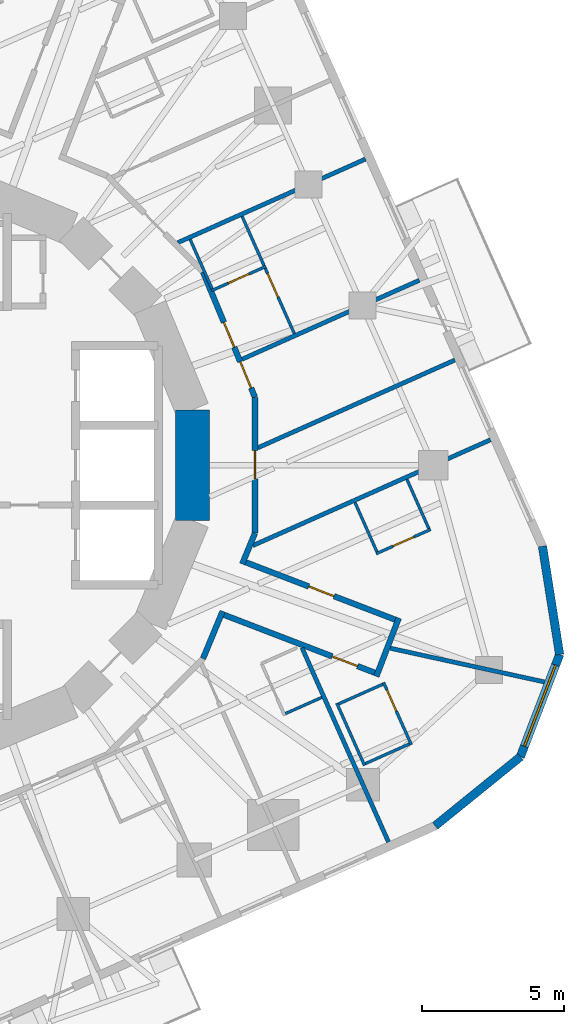
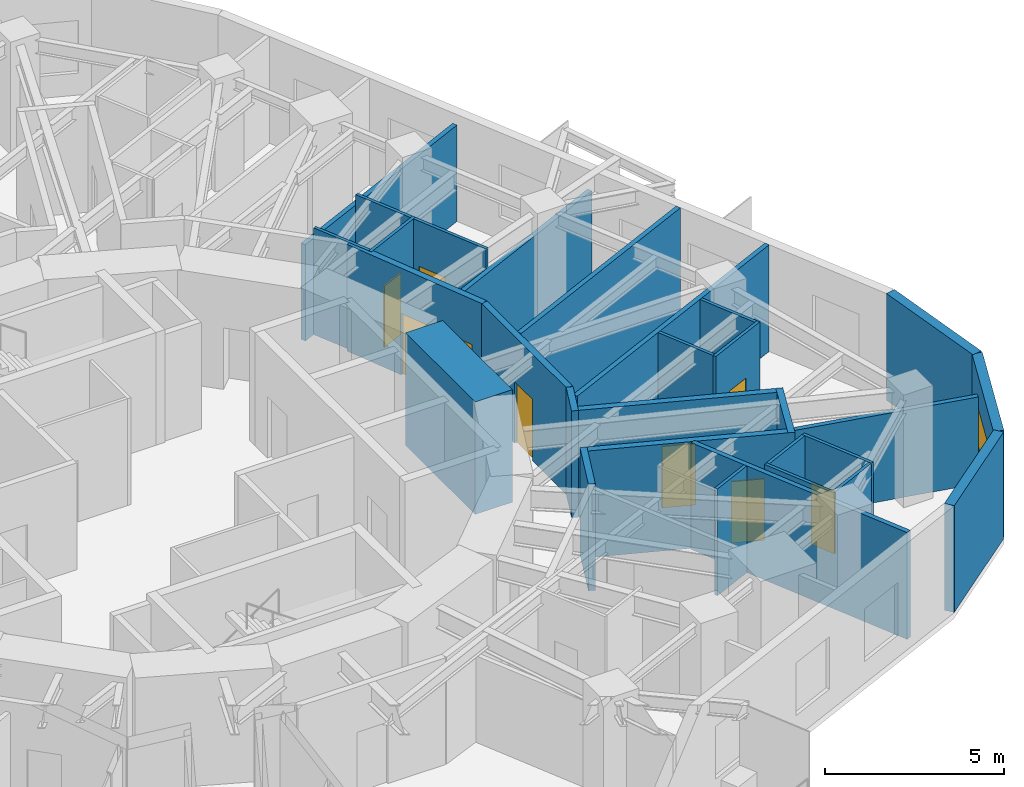
# One storey, part 8 of 12: 29 walls, 9 doors, 1 window, 10 openings.
"""IFC4 building model written with IfcOpenShell, lengths in metres."""

from ifc_helpers import new_model, si_unit, direction, frame, frame_2d, origin, place, context, subcontext, project, spatial, rectangle, extrude, material, layer, layer_set, type_object, element, fill, save


model = new_model("IFC4")

# Units and contexts
model_context = context("Model", 3, precision=1e-05, world=origin(), true_north=direction((0.0, 1.0)))
body_context = subcontext(model_context, "Body", "Model", "MODEL_VIEW")
ifc_project = project(units=[si_unit("LENGTHUNIT", "METRE"), si_unit("AREAUNIT", "SQUARE_METRE"), si_unit("VOLUMEUNIT", "CUBIC_METRE"), si_unit("PLANEANGLEUNIT", "RADIAN"), si_unit("MASSUNIT", "GRAM", prefix="KILO")], contexts=[model_context])

# Site, building, storey
site_placement = place(None, origin())
site = spatial("IfcSite", under=ifc_project, at=site_placement, CompositionType="ELEMENT")
building_placement = place(site_placement, origin())
building = spatial("IfcBuilding", under=site, at=building_placement, Name="Nakasero Lantern House", CompositionType="ELEMENT")
storey_placement = place(building_placement, frame((0.0, 0.0, 201.699951171875)))
storey = spatial("IfcBuildingStorey", under=building, at=storey_placement, Name="L49", CompositionType="ELEMENT", Elevation=201.699951171875)

# Wall
ifc_material_1 = material(Name="Concrete C50/60", Category="concrete")
ifc_layer_1 = layer(ifc_material_1, 1.199951171875)
ifc_layer_set_1 = layer_set([ifc_layer_1], Name="Core wall 1200")
wall_type_1 = type_object("IfcWallType", Name="Core wall 1200", PredefinedType="SHEAR", material=ifc_layer_set_1)
wall_1_placement = place(storey_placement, frame((9.807861328125, -1.950927734375, 0.0), z_axis=(0.0, 0.0, 1.0), x_axis=(0.0, 1.0, 0.0)))
element("IfcWall", 1, at=wall_1_placement, inside=storey, type_object=wall_type_1, Name="Core wall L49 facet 16", PredefinedType="SHEAR", context=body_context, shape_type="SweptSolid", body=[
    extrude(rectangle(XDim=3.90185546875, YDim=1.199951171875, at=frame_2d((1.950927734375, 0.0))), origin(), (0.0, 0.0, 1.0), 3.85009765625),
])

# Wall, opening, door
ifc_material_2 = material(Name="Blockwork", Category="masonry")
ifc_layer_2 = layer(ifc_material_2, 0.199951171875)
ifc_layer_set_2 = layer_set([ifc_layer_2], Name="Corridor wall 200")
wall_type_2 = type_object("IfcWallType", Name="Corridor wall 200", PredefinedType="PARTITIONING", material=ifc_layer_set_2)
wall_2_placement = place(storey_placement, frame((12.0078125, 2.388427734375, 0.0), z_axis=(0.0, 0.0, 1.0), x_axis=(0.0, -1.0, 0.0)))
wall_2 = element("IfcWall", 2, at=wall_2_placement, inside=storey, type_object=wall_type_2, Name="Corridor wall L49 RC00a", PredefinedType="PARTITIONING", context=body_context, shape_type="SweptSolid", body=[
    extrude(rectangle(XDim=4.77685546875, YDim=0.199951171875, at=frame_2d((2.388427734375, 0.0))), origin(), (0.0, 0.0, 1.0), 3.650146484375),
])
opening_1_placement = place(wall_2_placement, frame((1.8701171875, 0.0, 0.0)))
opening_1 = element("IfcOpeningElement", 3, at=opening_1_placement, cuts=wall_2, Name="Opening D03", PredefinedType="OPENING", context=body_context, shape_type="SweptSolid", body=[
    extrude(rectangle(XDim=1.0, YDim=2.10009765625, at=frame_2d((0.5, 1.050048828125))), frame((0.0, 0.119873046875, 0.0), z_axis=(0.0, -1.0, 0.0), x_axis=(1.0, 0.0, 0.0)), (0.0, 0.0, 1.0), 0.239990234375),
])
ifc_material_3 = material(Name="Timber C24", Category="wood")
door_type_1 = type_object("IfcDoorType", Name="Lounge door FD30S 1000", OperationType="SINGLE_SWING_LEFT", PredefinedType="DOOR", material=ifc_material_3)
door_1_placement = place(opening_1_placement, origin())
door_1 = element("IfcDoor", 4, at=door_1_placement, inside=storey, type_object=door_type_1, Name="Door L49 DK0", OperationType="SINGLE_SWING_LEFT", OverallHeight=2.10009765625, OverallWidth=1.0, PredefinedType="DOOR", context=body_context, shape_type="SweptSolid", body=[
    extrude(rectangle(XDim=1.0, YDim=2.10009765625, at=frame_2d((0.5, 1.050048828125))), frame((0.0, 0.02490234375, 0.0), z_axis=(0.0, -1.0, 0.0), x_axis=(1.0, 0.0, 0.0)), (0.0, 0.0, 1.0), 0.050048828125),
])
fill(opening_1, door_1)

# Walls
wall_3_placement = place(storey_placement, frame((12.0078125, -2.388427734375, 0.0), z_axis=(0.0, 0.0, 1.0), x_axis=(-0.382694679749, -0.923874873612, 0.0)))
element("IfcWall", 5, at=wall_3_placement, inside=storey, type_object=wall_type_2, Name="Corridor wall L49 RC01a", PredefinedType="PARTITIONING", context=body_context, shape_type="SweptSolid", body=[
    extrude(rectangle(XDim=1.173828125, YDim=0.199951171875, at=frame_2d((0.5869140625, 0.0))), origin(), (0.0, 0.0, 1.0), 3.650146484375),
])
wall_4_placement = place(storey_placement, frame((10.86962890625, -5.136474609375, 0.0), z_axis=(0.0, 0.0, 1.0), x_axis=(-0.382710605355, -0.923868276622, 0.0)))
element("IfcWall", 6, at=wall_4_placement, inside=storey, type_object=wall_type_2, Name="Corridor wall L49 RC01b", PredefinedType="PARTITIONING", context=body_context, shape_type="SweptSolid", body=[
    extrude(rectangle(XDim=1.802734375, YDim=0.199951171875, at=frame_2d((0.9013671875, 0.0))), origin(), (0.0, 0.0, 1.0), 3.650146484375),
])

# Wall, openings, doors
wall_5_placement = place(storey_placement, frame((10.1796875, 6.802001953125, 0.0), z_axis=(0.0, 0.0, 1.0), x_axis=(0.382676767893, -0.923882292998, 0.0)))
wall_5 = element("IfcWall", 7, at=wall_5_placement, inside=storey, type_object=wall_type_2, Name="Corridor wall L49 RC15a", PredefinedType="PARTITIONING", context=body_context, shape_type="SweptSolid", body=[
    extrude(rectangle(XDim=4.777099609375, YDim=0.199951171875, at=frame_2d((2.388671875, 0.0))), origin(), (0.0, 0.0, 1.0), 3.650146484375),
])
opening_2_placement = place(wall_5_placement, frame((1.919921875, 0.0, 0.0)))
opening_2 = element("IfcOpeningElement", 8, at=opening_2_placement, cuts=wall_5, Name="Opening D01", PredefinedType="OPENING", context=body_context, shape_type="SweptSolid", body=[
    extrude(rectangle(XDim=0.949951171875, YDim=2.10009765625, at=frame_2d((0.47509765625, 1.050048828125))), frame((0.0, 0.119873046875, 0.0), z_axis=(0.0, -1.0, 0.0), x_axis=(1.0, 0.0, 0.0)), (0.0, 0.0, 1.0), 0.239990234375),
])
opening_3_placement = place(wall_5_placement, frame((3.419921875, 0.0, 0.0)))
opening_3 = element("IfcOpeningElement", 9, at=opening_3_placement, cuts=wall_5, Name="Opening D03", PredefinedType="OPENING", context=body_context, shape_type="SweptSolid", body=[
    extrude(rectangle(XDim=1.0, YDim=2.10009765625, at=frame_2d((0.5, 1.050048828125))), frame((0.0, 0.119873046875, 0.0), z_axis=(0.0, -1.0, 0.0), x_axis=(1.0, 0.0, 0.0)), (0.0, 0.0, 1.0), 0.239990234375),
])
ifc_material_4 = material(Name="Timber C24", Category="wood")
door_type_2 = type_object("IfcDoorType", Name="Bedroom door FD30S 950", OperationType="SINGLE_SWING_LEFT", PredefinedType="DOOR", material=ifc_material_4)
door_2_placement = place(opening_2_placement, origin())
door_2 = element("IfcDoor", 10, at=door_2_placement, inside=storey, type_object=door_type_2, Name="Door L49 D0-03", OperationType="SINGLE_SWING_RIGHT", OverallHeight=2.10009765625, OverallWidth=0.949951171875, PredefinedType="DOOR", context=body_context, shape_type="SweptSolid", body=[
    extrude(rectangle(XDim=0.949951171875, YDim=2.10009765625, at=frame_2d((0.47509765625, 1.050048828125))), frame((0.0, 0.02490234375, 0.0), z_axis=(0.0, -1.0, 0.0), x_axis=(1.0, 0.0, 0.0)), (0.0, 0.0, 1.0), 0.050048828125),
])
fill(opening_2, door_2)
door_3_placement = place(opening_3_placement, origin())
door_3 = element("IfcDoor", 11, at=door_3_placement, inside=storey, type_object=door_type_1, Name="Door L49 DK0-1", OperationType="SINGLE_SWING_RIGHT", OverallHeight=2.10009765625, OverallWidth=1.0, PredefinedType="DOOR", context=body_context, shape_type="SweptSolid", body=[
    extrude(rectangle(XDim=1.0, YDim=2.10009765625, at=frame_2d((0.5, 1.050048828125))), frame((0.0, 0.02490234375, 0.0), z_axis=(0.0, -1.0, 0.0), x_axis=(1.0, 0.0, 0.0)), (0.0, 0.0, 1.0), 0.050048828125),
])
fill(opening_3, door_3)

# Wall, opening, door
wall_6_placement = place(storey_placement, frame((10.831298828125, -5.22900390625, 0.0), z_axis=(0.0, 0.0, 1.0), x_axis=(0.933584570174, -0.358357154711, 0.0)))
wall_6 = element("IfcWall", 12, at=wall_6_placement, inside=storey, type_object=wall_type_2, Name="Corridor wall L49 SP3a", PredefinedType="PARTITIONING", context=body_context, shape_type="SweptSolid", body=[
    extrude(rectangle(XDim=5.97216796875, YDim=0.199951171875, at=frame_2d((2.986083984375, 0.0))), origin(), (0.0, 0.0, 1.0), 3.650146484375),
])
opening_4_placement = place(wall_6_placement, frame((4.169921875, 0.0, 0.0)))
opening_4 = element("IfcOpeningElement", 13, at=opening_4_placement, cuts=wall_6, Name="Opening D01", PredefinedType="OPENING", context=body_context, shape_type="SweptSolid", body=[
    extrude(rectangle(XDim=0.949951171875, YDim=2.10009765625, at=frame_2d((0.47509765625, 1.050048828125))), frame((0.0, 0.119873046875, 0.0), z_axis=(0.0, -1.0, 0.0), x_axis=(1.0, 0.0, 0.0)), (0.0, 0.0, 1.0), 0.239990234375),
])
door_4_placement = place(opening_4_placement, origin())
door_4 = element("IfcDoor", 14, at=door_4_placement, inside=storey, type_object=door_type_2, Name="Door L49 D3-06", OperationType="SINGLE_SWING_RIGHT", OverallHeight=2.10009765625, OverallWidth=0.949951171875, PredefinedType="DOOR", context=body_context, shape_type="SweptSolid", body=[
    extrude(rectangle(XDim=0.949951171875, YDim=2.10009765625, at=frame_2d((0.47509765625, 1.050048828125))), frame((0.0, 0.02490234375, 0.0), z_axis=(0.0, -1.0, 0.0), x_axis=(1.0, 0.0, 0.0)), (0.0, 0.0, 1.0), 0.050048828125),
])
fill(opening_4, door_4)

wall_7_placement = place(storey_placement, frame((11.596923828125, -3.380615234375, 0.0), z_axis=(0.0, 0.0, 1.0), x_axis=(0.933582445172, -0.358362690674, 0.0)))
wall_7 = element("IfcWall", 15, at=wall_7_placement, inside=storey, type_object=wall_type_2, Name="Corridor wall L49 SP3b", PredefinedType="PARTITIONING", context=body_context, shape_type="SweptSolid", body=[
    extrude(rectangle(XDim=5.91943359375, YDim=0.199951171875, at=frame_2d((2.959716796875, 0.0))), origin(), (0.0, 0.0, 1.0), 3.650146484375),
])
opening_5_placement = place(wall_7_placement, frame((2.469970703125, 0.0, 0.0)))
opening_5 = element("IfcOpeningElement", 16, at=opening_5_placement, cuts=wall_7, Name="Opening D01", PredefinedType="OPENING", context=body_context, shape_type="SweptSolid", body=[
    extrude(rectangle(XDim=0.949951171875, YDim=2.10009765625, at=frame_2d((0.47509765625, 1.050048828125))), frame((0.0, 0.119873046875, 0.0), z_axis=(0.0, -1.0, 0.0), x_axis=(1.0, 0.0, 0.0)), (0.0, 0.0, 1.0), 0.239990234375),
])
door_5_placement = place(opening_5_placement, origin())
door_5 = element("IfcDoor", 17, at=door_5_placement, inside=storey, type_object=door_type_2, Name="Door L49 D0-00", OperationType="SINGLE_SWING_LEFT", OverallHeight=2.10009765625, OverallWidth=0.949951171875, PredefinedType="DOOR", context=body_context, shape_type="SweptSolid", body=[
    extrude(rectangle(XDim=0.949951171875, YDim=2.10009765625, at=frame_2d((0.47509765625, 1.050048828125))), frame((0.0, 0.02490234375, 0.0), z_axis=(0.0, -1.0, 0.0), x_axis=(1.0, 0.0, 0.0)), (0.0, 0.0, 1.0), 0.050048828125),
])
fill(opening_5, door_5)

# Wall
wall_8_placement = place(storey_placement, frame((16.277587890625, -7.426513671875, 0.0), z_axis=(0.0, 0.0, 1.0), x_axis=(0.358361733464, 0.933582812604, 0.0)))
element("IfcWall", 18, at=wall_8_placement, inside=storey, type_object=wall_type_2, Name="Corridor wall L49 SP3e", PredefinedType="PARTITIONING", context=body_context, shape_type="SweptSolid", body=[
    extrude(rectangle(XDim=2.19970703125, YDim=0.199951171875, at=frame_2d((1.099853515625, 0.0))), origin(), (0.0, 0.0, 1.0), 3.650146484375),
])

# Wall, opening, door
ifc_material_5 = material(Name="Blockwork", Category="masonry")
ifc_layer_3 = layer(ifc_material_5, 0.10009765625)
ifc_layer_set_3 = layer_set([ifc_layer_3], Name="En-suite wall 100")
wall_type_3 = type_object("IfcWallType", Name="En-suite wall 100", PredefinedType="PARTITIONING", material=ifc_layer_set_3)
wall_9_placement = place(storey_placement, frame((16.27197265625, -3.11083984375, 0.0), z_axis=(0.0, 0.0, 1.0), x_axis=(0.913528480824, 0.406774771494, 0.0)))
wall_9 = element("IfcWall", 19, at=wall_9_placement, inside=storey, type_object=wall_type_3, Name="En-suite wall L49 ES0-00", PredefinedType="PARTITIONING", context=body_context, shape_type="SweptSolid", body=[
    extrude(rectangle(XDim=2.10009765625, YDim=0.10009765625, at=frame_2d((1.050048828125, 0.0))), origin(), (0.0, 0.0, 1.0), 3.650146484375),
])
opening_6_placement = place(wall_9_placement, frame((0.64990234375, 0.0, 0.0)))
opening_6 = element("IfcOpeningElement", 20, at=opening_6_placement, cuts=wall_9, Name="Opening D02", PredefinedType="OPENING", context=body_context, shape_type="SweptSolid", body=[
    extrude(rectangle(XDim=0.800048828125, YDim=2.10009765625, at=frame_2d((0.39990234375, 1.050048828125))), frame((0.0, 0.070068359375, 0.0), z_axis=(0.0, -1.0, 0.0), x_axis=(1.0, 0.0, 0.0)), (0.0, 0.0, 1.0), 0.14013671875),
])
ifc_material_6 = material(Name="Timber C24", Category="wood")
door_type_3 = type_object("IfcDoorType", Name="En-suite door 800", OperationType="SINGLE_SWING_RIGHT", PredefinedType="DOOR", material=ifc_material_6)
door_6_placement = place(opening_6_placement, origin())
door_6 = element("IfcDoor", 21, at=door_6_placement, inside=storey, type_object=door_type_3, Name="Door L49 DE0-00", OperationType="SINGLE_SWING_RIGHT", OverallHeight=2.10009765625, OverallWidth=0.800048828125, PredefinedType="DOOR", context=body_context, shape_type="SweptSolid", body=[
    extrude(rectangle(XDim=0.800048828125, YDim=2.10009765625, at=frame_2d((0.39990234375, 1.050048828125))), frame((0.0, 0.02490234375, 0.0), z_axis=(0.0, -1.0, 0.0), x_axis=(1.0, 0.0, 0.0)), (0.0, 0.0, 1.0), 0.050048828125),
])
fill(opening_6, door_6)

# Walls
wall_10_placement = place(storey_placement, frame((18.12451171875, -2.2314453125, 0.0), z_axis=(0.0, 0.0, 1.0), x_axis=(-0.406674880245, 0.913572953725, 0.0)))
element("IfcWall", 22, at=wall_10_placement, inside=storey, type_object=wall_type_3, Name="En-suite wall L49 EE0-00", PredefinedType="PARTITIONING", context=body_context, shape_type="SweptSolid", body=[
    extrude(rectangle(XDim=1.900146484375, YDim=0.10009765625, at=frame_2d((0.9501953125, 0.0))), origin(), (0.0, 0.0, 1.0), 3.650146484375),
])
wall_11_placement = place(storey_placement, frame((16.29736328125, -3.044677734375, 0.0), z_axis=(0.0, 0.0, 1.0), x_axis=(-0.406722623293, 0.913551699523, 0.0)))
element("IfcWall", 23, at=wall_11_placement, inside=storey, type_object=wall_type_3, Name="En-suite wall L49 EI0-00", PredefinedType="PARTITIONING", context=body_context, shape_type="SweptSolid", body=[
    extrude(rectangle(XDim=1.89990234375, YDim=0.10009765625, at=frame_2d((0.949951171875, 0.0))), origin(), (0.0, 0.0, 1.0), 3.650146484375),
])

# Wall, opening, door
wall_12_placement = place(storey_placement, frame((10.475341796875, 6.138916015625, 0.0), z_axis=(0.0, 0.0, 1.0), x_axis=(0.913528480824, 0.406774771494, 0.0)))
wall_12 = element("IfcWall", 24, at=wall_12_placement, inside=storey, type_object=wall_type_3, Name="En-suite wall L49 ES0-03", PredefinedType="PARTITIONING", context=body_context, shape_type="SweptSolid", body=[
    extrude(rectangle(XDim=2.10009765625, YDim=0.10009765625, at=frame_2d((1.050048828125, 0.0))), origin(), (0.0, 0.0, 1.0), 3.650146484375),
])
opening_7_placement = place(wall_12_placement, frame((0.64990234375, 0.0, 0.0)))
opening_7 = element("IfcOpeningElement", 25, at=opening_7_placement, cuts=wall_12, Name="Opening D02", PredefinedType="OPENING", context=body_context, shape_type="SweptSolid", body=[
    extrude(rectangle(XDim=0.800048828125, YDim=2.10009765625, at=frame_2d((0.39990234375, 1.050048828125))), frame((0.0, 0.070068359375, 0.0), z_axis=(0.0, -1.0, 0.0), x_axis=(1.0, 0.0, 0.0)), (0.0, 0.0, 1.0), 0.14013671875),
])
door_7_placement = place(opening_7_placement, origin())
door_7 = element("IfcDoor", 26, at=door_7_placement, inside=storey, type_object=door_type_3, Name="Door L49 DE0-03", OperationType="SINGLE_SWING_LEFT", OverallHeight=2.10009765625, OverallWidth=0.800048828125, PredefinedType="DOOR", context=body_context, shape_type="SweptSolid", body=[
    extrude(rectangle(XDim=0.800048828125, YDim=2.10009765625, at=frame_2d((0.39990234375, 1.050048828125))), frame((0.0, 0.02490234375, 0.0), z_axis=(0.0, -1.0, 0.0), x_axis=(1.0, 0.0, 0.0)), (0.0, 0.0, 1.0), 0.050048828125),
])
fill(opening_7, door_7)

# Walls
for number, where, z_axis, x_axis, name in (
    (27, (12.327880859375, 7.0185546875, 0.0), (0.0, 0.0, 1.0), (-0.406722623293, 0.913551699523, 0.0), "En-suite wall L49 EE0-03"),
    (28, (10.500732421875, 6.205078125, 0.0), (0.0, 0.0, 1.0), (-0.406722623293, 0.913551699523, 0.0), "En-suite wall L49 EI0-03"),
):
    element("IfcWall", number, at=place(storey_placement, frame(where, z_axis=z_axis, x_axis=x_axis)), inside=storey, type_object=wall_type_3, Name=name, PredefinedType="PARTITIONING", context=body_context, shape_type="SweptSolid", body=[
        extrude(rectangle(XDim=1.89990234375, YDim=0.10009765625, at=frame_2d((0.949951171875, 0.0))), origin(), (0.0, 0.0, 1.0), 3.650146484375),
    ])
wall_13_placement = place(storey_placement, frame((13.07861328125, -8.736083984375, 0.0), z_axis=(0.0, 0.0, 1.0), x_axis=(0.9135164993, 0.406801678348, 0.0)))
element("IfcWall", 29, at=wall_13_placement, inside=storey, type_object=wall_type_3, Name="En-suite wall L49 EE3-05", PredefinedType="PARTITIONING", context=body_context, shape_type="SweptSolid", body=[
    extrude(rectangle(XDim=1.400146484375, YDim=0.10009765625, at=frame_2d((0.7001953125, 0.0))), origin(), (0.0, 0.0, 1.0), 3.650146484375),
])

# Wall, opening, door
wall_14_placement = place(storey_placement, frame((16.530029296875, -7.63720703125, 0.0), z_axis=(0.0, 0.0, 1.0), x_axis=(0.406808500233, -0.913513461389, 0.0)))
wall_14 = element("IfcWall", 30, at=wall_14_placement, inside=storey, type_object=wall_type_3, Name="En-suite wall L49 ES3-06", PredefinedType="PARTITIONING", context=body_context, shape_type="SweptSolid", body=[
    extrude(rectangle(XDim=2.39990234375, YDim=0.10009765625, at=frame_2d((1.199951171875, 0.0))), origin(), (0.0, 0.0, 1.0), 3.650146484375),
])
opening_8_placement = place(wall_14_placement, frame((0.300048828125, 0.0, 0.0)))
opening_8 = element("IfcOpeningElement", 31, at=opening_8_placement, cuts=wall_14, Name="Opening D02", PredefinedType="OPENING", context=body_context, shape_type="SweptSolid", body=[
    extrude(rectangle(XDim=0.800048828125, YDim=2.10009765625, at=frame_2d((0.39990234375, 1.050048828125))), frame((0.0, 0.070068359375, 0.0), z_axis=(0.0, -1.0, 0.0), x_axis=(1.0, 0.0, 0.0)), (0.0, 0.0, 1.0), 0.14013671875),
])
door_8_placement = place(opening_8_placement, origin())
door_8 = element("IfcDoor", 32, at=door_8_placement, inside=storey, type_object=door_type_3, Name="Door L49 DE3-06", OperationType="SINGLE_SWING_LEFT", OverallHeight=2.10009765625, OverallWidth=0.800048828125, PredefinedType="DOOR", context=body_context, shape_type="SweptSolid", body=[
    extrude(rectangle(XDim=0.800048828125, YDim=2.10009765625, at=frame_2d((0.39990234375, 1.050048828125))), frame((0.0, 0.02490234375, 0.0), z_axis=(0.0, -1.0, 0.0), x_axis=(1.0, 0.0, 0.0)), (0.0, 0.0, 1.0), 0.050048828125),
])
fill(opening_8, door_8)

# Walls
wall_15_placement = place(storey_placement, frame((14.8857421875, -8.369384765625, 0.0), z_axis=(0.0, 0.0, 1.0), x_axis=(0.406723602621, -0.913551263516, 0.0)))
element("IfcWall", 33, at=wall_15_placement, inside=storey, type_object=wall_type_3, Name="En-suite wall L49 EV3-06", PredefinedType="PARTITIONING", context=body_context, shape_type="SweptSolid", body=[
    extrude(rectangle(XDim=2.39990234375, YDim=0.10009765625, at=frame_2d((1.199951171875, 0.0))), origin(), (0.0, 0.0, 1.0), 3.650146484375),
])
for number, where, z_axis, x_axis, name in (
    (34, (15.88720703125, -10.495849609375, 0.0), (0.0, 0.0, 1.0), (0.913550776237, 0.406724697108, 0.0), "En-suite wall L49 EE3-06"),
    (35, (14.95166015625, -8.39453125, 0.0), (0.0, 0.0, 1.0), (0.913550776237, 0.406724697108, 0.0), "En-suite wall L49 EI3-06"),
):
    element("IfcWall", number, at=place(storey_placement, frame(where, z_axis=z_axis, x_axis=x_axis)), inside=storey, type_object=wall_type_3, Name=name, PredefinedType="PARTITIONING", context=body_context, shape_type="SweptSolid", body=[
        extrude(rectangle(XDim=1.699951171875, YDim=0.10009765625, at=frame_2d((0.85009765625, 0.0))), origin(), (0.0, 0.0, 1.0), 3.650146484375),
    ])

# Wall, opening, door
wall_16_placement = place(storey_placement, frame((13.3916015625, 4.629150390625, 0.0), z_axis=(0.0, 0.0, 1.0), x_axis=(-0.406696756474, 0.913563215259, 0.0)))
wall_16 = element("IfcWall", 36, at=wall_16_placement, inside=storey, type_object=wall_type_3, Name="En-suite wall L49 EL0-03", PredefinedType="PARTITIONING", context=body_context, shape_type="SweptSolid", body=[
    extrude(rectangle(XDim=2.515380859375, YDim=0.10009765625, at=frame_2d((1.2578125, 0.0))), origin(), (0.0, 0.0, 1.0), 3.650146484375),
])
opening_9_placement = place(wall_16_placement, frame((1.415283203125, 0.0, 0.0)))
opening_9 = element("IfcOpeningElement", 37, at=opening_9_placement, cuts=wall_16, Name="Opening D17", PredefinedType="OPENING", context=body_context, shape_type="SweptSolid", body=[
    extrude(rectangle(XDim=0.89990234375, YDim=2.10009765625, at=frame_2d((0.449951171875, 1.050048828125))), frame((0.0, 0.070068359375, 0.0), z_axis=(0.0, -1.0, 0.0), x_axis=(1.0, 0.0, 0.0)), (0.0, 0.0, 1.0), 0.14013671875),
])
ifc_material_7 = material(Name="Timber C24", Category="wood")
door_type_4 = type_object("IfcDoorType", Name="Bedroom door FD30S 900", OperationType="SINGLE_SWING_LEFT", PredefinedType="DOOR", material=ifc_material_7)
door_9_placement = place(opening_9_placement, origin())
door_9 = element("IfcDoor", 38, at=door_9_placement, inside=storey, type_object=door_type_4, Name="Door L49 DL0-03", OperationType="SINGLE_SWING_RIGHT", OverallHeight=2.10009765625, OverallWidth=0.89990234375, PredefinedType="DOOR", context=body_context, shape_type="SweptSolid", body=[
    extrude(rectangle(XDim=0.89990234375, YDim=2.10009765625, at=frame_2d((0.449951171875, 1.050048828125))), frame((0.0, 0.02490234375, 0.0), z_axis=(0.0, -1.0, 0.0), x_axis=(1.0, 0.0, 0.0)), (0.0, 0.0, 1.0), 0.050048828125),
])
fill(opening_9, door_9)

# Wall
ifc_material_8 = material(Name="Aluminium rainscreen on blockwork", Category="masonry")
ifc_layer_4 = layer(ifc_material_8, 0.300048828125)
ifc_layer_set_4 = layer_set([ifc_layer_4], Name="Facade wall 300")
wall_type_4 = type_object("IfcWallType", Name="Facade wall 300", PredefinedType="SOLIDWALL", material=ifc_layer_set_4)
wall_17_placement = place(storey_placement, frame((18.345458984375, -12.684814453125, 0.0), z_axis=(0.0, 0.0, 1.0), x_axis=(0.777174099125, 0.629285642335, 0.0)))
element("IfcWall", 39, at=wall_17_placement, inside=storey, type_object=wall_type_4, Name="Facade wall L49 FW3C1", PredefinedType="SOLIDWALL", context=body_context, shape_type="SweptSolid", body=[
    extrude(rectangle(XDim=3.8564453125, YDim=0.300048828125, at=frame_2d((1.92822265625, 0.0))), origin(), (0.0, 0.0, 1.0), 3.650146484375),
])

# Wall, opening, window
wall_18_placement = place(storey_placement, frame((21.342529296875, -10.258056640625, 0.0), z_axis=(0.0, 0.0, 1.0), x_axis=(0.358321438858, 0.933598278948, 0.0)))
wall_18 = element("IfcWall", 40, at=wall_18_placement, inside=storey, type_object=wall_type_4, Name="Facade wall L49 FW3C2", PredefinedType="SOLIDWALL", context=body_context, shape_type="SweptSolid", body=[
    extrude(rectangle(XDim=3.8564453125, YDim=0.300048828125, at=frame_2d((1.92822265625, 0.0))), origin(), (0.0, 0.0, 1.0), 3.650146484375),
])
opening_10_placement = place(wall_18_placement, frame((0.39990234375, 0.0, 0.75)))
opening_10 = element("IfcOpeningElement", 41, at=opening_10_placement, cuts=wall_18, Name="Opening W230", PredefinedType="OPENING", context=body_context, shape_type="SweptSolid", body=[
    extrude(rectangle(XDim=3.055908203125, YDim=1.800048828125, at=frame_2d((1.52783203125, 0.89990234375))), frame((0.0, 0.169921875, 0.0), z_axis=(0.0, -1.0, 0.0), x_axis=(1.0, 0.0, 0.0)), (0.0, 0.0, 1.0), 0.340087890625),
])
ifc_material_9 = material(Name="Aluminium 6063-T6 and glass", Category="aluminium")
window_type = type_object("IfcWindowType", Name="Corner window 3056x1800", PartitioningType="SINGLE_PANEL", PredefinedType="WINDOW", material=ifc_material_9)
window_placement = place(opening_10_placement, origin())
window = element("IfcWindow", 42, at=window_placement, inside=storey, type_object=window_type, Name="Window L49 WC3", OverallHeight=1.800048828125, OverallWidth=3.055908203125, PartitioningType="SINGLE_PANEL", PredefinedType="WINDOW", context=body_context, shape_type="SweptSolid", body=[
    extrude(rectangle(XDim=3.055908203125, YDim=1.800048828125, at=frame_2d((1.52783203125, 0.89990234375))), frame((0.0, 0.030029296875, 0.0), z_axis=(0.0, -1.0, 0.0), x_axis=(1.0, 0.0, 0.0)), (0.0, 0.0, 1.0), 0.06005859375),
])
fill(opening_10, window)

# Walls
wall_19_placement = place(storey_placement, frame((22.724365234375, -6.65771484375, 0.0), z_axis=(0.0, 0.0, 1.0), x_axis=(-0.156437203878, 0.987687906802, 0.0)))
element("IfcWall", 43, at=wall_19_placement, inside=storey, type_object=wall_type_4, Name="Facade wall L49 FW3C3", PredefinedType="SOLIDWALL", context=body_context, shape_type="SweptSolid", body=[
    extrude(rectangle(XDim=3.856201171875, YDim=0.300048828125, at=frame_2d((1.92822265625, 0.0))), origin(), (0.0, 0.0, 1.0), 3.650146484375),
])
ifc_material_10 = material(Name="Blockwork", Category="masonry")
ifc_layer_5 = layer(ifc_material_10, 0.14990234375)
ifc_layer_set_5 = layer_set([ifc_layer_5], Name="Party wall 150")
wall_type_5 = type_object("IfcWallType", Name="Party wall 150", PredefinedType="PARTITIONING", material=ifc_layer_set_5)
wall_20_placement = place(storey_placement, frame((11.935302734375, -2.824951171875, 0.0), z_axis=(0.0, 0.0, 1.0), x_axis=(0.91355156837, 0.40672291788, 0.0)))
element("IfcWall", 44, at=wall_20_placement, inside=storey, type_object=wall_type_5, Name="Party wall L49 PW0-01", PredefinedType="PARTITIONING", context=body_context, shape_type="SweptSolid", body=[
    extrude(rectangle(XDim=9.1455078125, YDim=0.14990234375, at=frame_2d((4.57275390625, 0.0))), origin(), (0.0, 0.0, 1.0), 3.650146484375),
])
wall_21_placement = place(storey_placement, frame((12.10791015625, 0.61376953125, 0.0), z_axis=(0.0, 0.0, 1.0), x_axis=(0.913552679772, 0.406720421521, 0.0)))
element("IfcWall", 45, at=wall_21_placement, inside=storey, type_object=wall_type_5, Name="Party wall L49 PW0-02", PredefinedType="PARTITIONING", context=body_context, shape_type="SweptSolid", body=[
    extrude(rectangle(XDim=7.589111328125, YDim=0.14990234375, at=frame_2d((3.79443359375, 0.0))), origin(), (0.0, 0.0, 1.0), 3.650146484375),
])
wall_22_placement = place(storey_placement, frame((11.559814453125, 3.7314453125, 0.0), z_axis=(0.0, 0.0, 1.0), x_axis=(0.913544226514, 0.406739408224, 0.0)))
element("IfcWall", 46, at=wall_22_placement, inside=storey, type_object=wall_type_5, Name="Party wall L49 PW0-03", PredefinedType="PARTITIONING", context=body_context, shape_type="SweptSolid", body=[
    extrude(rectangle(XDim=6.82177734375, YDim=0.14990234375, at=frame_2d((3.410888671875, 0.0))), origin(), (0.0, 0.0, 1.0), 2.966552734375),
])
wall_23_placement = place(storey_placement, frame((9.293701171875, 7.829345703125, 0.0), z_axis=(0.0, 0.0, 1.0), x_axis=(0.913535447493, 0.406759125496, 0.0)))
element("IfcWall", 47, at=wall_23_placement, inside=storey, type_object=wall_type_5, Name="Party wall L49 PW0-04", PredefinedType="PARTITIONING", context=body_context, shape_type="SweptSolid", body=[
    extrude(rectangle(XDim=7.225341796875, YDim=0.14990234375, at=frame_2d((3.61279296875, 0.0))), origin(), (0.0, 0.0, 1.0), 3.295166015625),
])
wall_24_placement = place(storey_placement, frame((13.663330078125, -6.423095703125, 0.0), z_axis=(0.0, 0.0, 1.0), x_axis=(0.406735380252, -0.913546019887, 0.0)))
element("IfcWall", 48, at=wall_24_placement, inside=storey, type_object=wall_type_5, Name="Party wall L49 PW3-06", PredefinedType="PARTITIONING", context=body_context, shape_type="SweptSolid", body=[
    extrude(rectangle(XDim=7.474853515625, YDim=0.14990234375, at=frame_2d((3.7373046875, 0.0))), origin(), (0.0, 0.0, 1.0), 3.650146484375),
])
wall_25_placement = place(storey_placement, frame((16.76513671875, -6.435546875, 0.0), z_axis=(0.0, 0.0, 1.0), x_axis=(0.976891696422, -0.213734913997, 0.0)))
element("IfcWall", 49, at=wall_25_placement, inside=storey, type_object=wall_type_5, Name="Party wall L49 PW0-00", PredefinedType="PARTITIONING", context=body_context, shape_type="SweptSolid", body=[
    extrude(rectangle(XDim=5.55126953125, YDim=0.14990234375, at=frame_2d((2.775634765625, 0.0))), origin(), (0.0, 0.0, 1.0), 2.966552734375),
])

save(model, "model.ifc")
